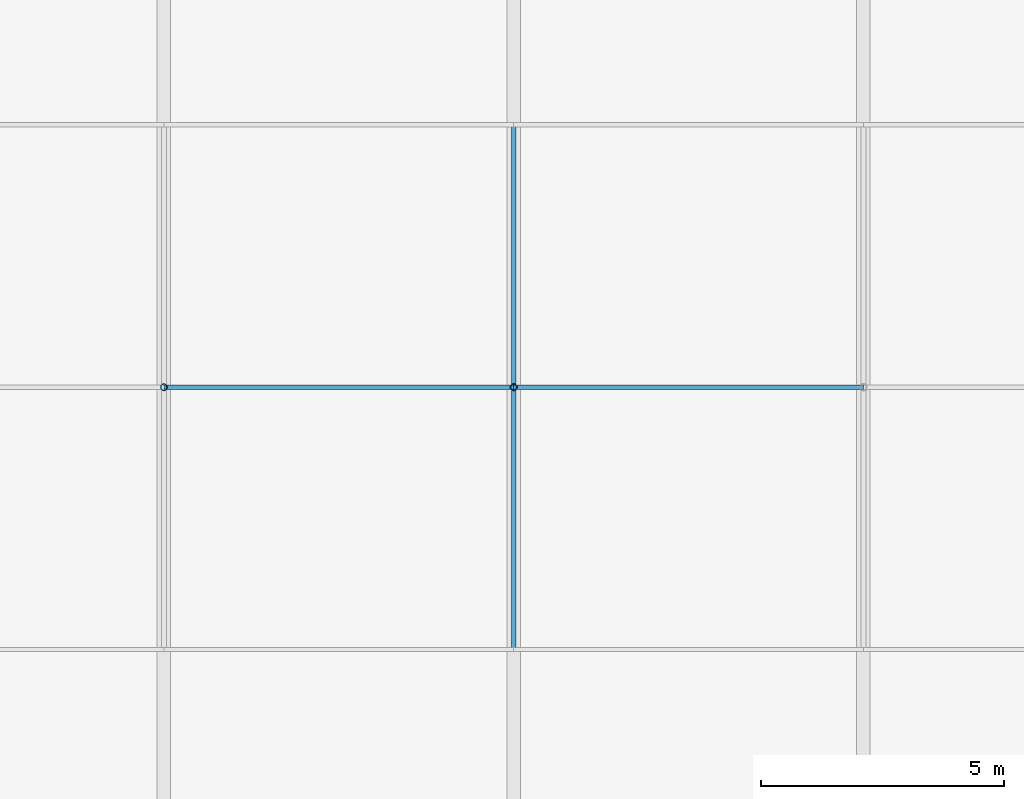
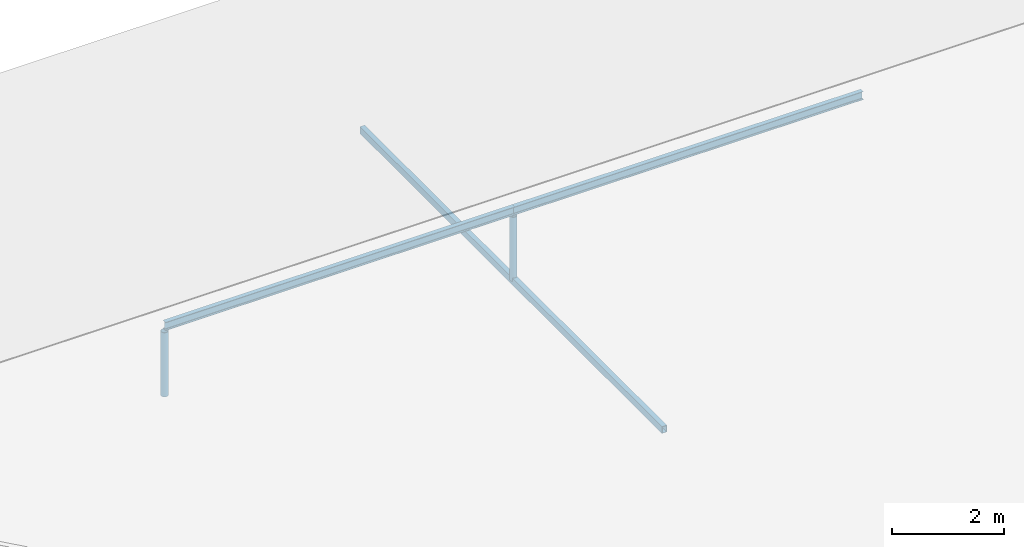
# One storey, part 15 of 124: 5 members.
"""IFC4 building model written with IfcOpenShell, lengths in metres."""

from ifc_helpers import new_model, si_unit, direction, frame, origin, origin_2d, place, context, subcontext, project, spatial, hollow_rectangle, hollow_circle, i_section, extrude, material, material_profile, profile_set, type_object, element, save


model = new_model("IFC4")

# Units and contexts
model_context = context("Model", 3, precision=1e-05, world=origin(), true_north=direction((0.0, 1.0)))
body_context = subcontext(model_context, "Body", "Model", "MODEL_VIEW")
ifc_project = project(units=[si_unit("LENGTHUNIT", "METRE"), si_unit("AREAUNIT", "SQUARE_METRE"), si_unit("VOLUMEUNIT", "CUBIC_METRE"), si_unit("PLANEANGLEUNIT", "RADIAN"), si_unit("MASSUNIT", "GRAM", prefix="KILO"), si_unit("THERMODYNAMICTEMPERATUREUNIT", "KELVIN"), si_unit("POWERUNIT", "WATT")], contexts=[model_context])

# Site, building, storey
site_placement = place(None, origin())
site = spatial("IfcSite", under=ifc_project, at=site_placement, CompositionType="ELEMENT")
building_placement = place(site_placement, origin())
building = spatial("IfcBuilding", under=site, at=building_placement, Name="Tavuni Mirador Residences", CompositionType="ELEMENT")
storey_placement = place(building_placement, frame((0.0, 0.0, 7.64990234375)))
storey = spatial("IfcBuildingStorey", under=building, at=storey_placement, Name="L02", CompositionType="ELEMENT", Elevation=7.64990234375)

# Members
ifc_material = material(Name="Structural steel S355", Category="steel")
ifc_material_profile_1 = material_profile(ifc_material, hollow_circle(Radius=0.06982421875, WallThickness=0.008056640625, at=origin_2d()), Name="CHS 139.7x8.0", Category="steel")
ifc_profile_set_1 = profile_set([ifc_material_profile_1], Name="Structural steel S355")
member_type_1 = type_object("IfcMemberType", Name="MT-BR-CHS139", PredefinedType="BRACE", material=ifc_profile_set_1)
for number, where, z_axis, x_axis, name in (
    (1, (54.0, 18.0, 1.050048828125), (0.0, 0.0, 1.0), (1.0, 0.0, 0.0), "RKP-PAV-SHOP-01"),
    (2, (61.199951171875, 18.0, 1.050048828125), (0.0, 0.0, 1.0), (1.0, 0.0, 0.0), "RKP-PAV-SHOP-02"),
):
    element("IfcMember", number, at=place(storey_placement, frame(where, z_axis=z_axis, x_axis=x_axis)), inside=storey, type_object=member_type_1, Name=name, PredefinedType="BRACE", context=body_context, shape_type="SweptSolid", body=[
        extrude(hollow_circle(Radius=0.06982421875, WallThickness=0.008056640625, at=origin_2d()), origin(), (0.0, 0.0, 1.0), 1.400146484375),
    ])
ifc_material_profile_2 = material_profile(ifc_material, hollow_rectangle(XDim=0.10009765625, YDim=0.14990234375, WallThickness=0.008056640625, at=origin_2d()), Name="RHS 150x100x8.0", Category="steel")
ifc_profile_set_2 = profile_set([ifc_material_profile_2], Name="Structural steel S355")
member_type_2 = type_object("IfcMemberType", Name="MT-BR-RHS150", PredefinedType="BRACE", material=ifc_profile_set_2)
member_placement = place(storey_placement, frame((61.199951171875, 12.60009765625, 1.050048828125), z_axis=(0.0, 1.0, 0.0), x_axis=(-1.0, 0.0, 0.0)))
element("IfcMember", 3, at=member_placement, inside=storey, type_object=member_type_2, Name="RTIE-PAV-SHOP-02", PredefinedType="BRACE", context=body_context, shape_type="SweptSolid", body=[
    extrude(hollow_rectangle(XDim=0.10009765625, YDim=0.14990234375, WallThickness=0.008056640625, at=origin_2d()), origin(), (0.0, 0.0, 1.0), 10.7998046875),
])
ifc_material_profile_3 = material_profile(ifc_material, i_section(OverallWidth=0.091064453125, OverallDepth=0.179931640625, WebThickness=0.00537109375, FlangeThickness=0.008056640625, FilletRadius=0.009033203125, at=origin_2d()), Name="IPE 180", Category="steel")
ifc_profile_set_3 = profile_set([ifc_material_profile_3], Name="Structural steel S355")
member_type_3 = type_object("IfcMemberType", Name="MT-PR-IPE180", PredefinedType="PURLIN", material=ifc_profile_set_3)
for number, where, z_axis, x_axis, name in (
    (4, (54.0, 18.0, 2.565185546875), (1.0, 0.0, 0.0), (0.0, 1.0, 0.0), "RPUR-PAV-SHOP-50-01"),
    (5, (61.199951171875, 18.0, 2.565185546875), (1.0, 0.0, 0.0), (0.0, 1.0, 0.0), "RPUR-PAV-SHOP-50-02"),
):
    element("IfcMember", number, at=place(storey_placement, frame(where, z_axis=z_axis, x_axis=x_axis)), inside=storey, type_object=member_type_3, Name=name, PredefinedType="PURLIN", context=body_context, shape_type="SweptSolid", body=[
        extrude(i_section(OverallWidth=0.091064453125, OverallDepth=0.179931640625, WebThickness=0.00537109375, FlangeThickness=0.008056640625, FilletRadius=0.009033203125, at=origin_2d()), origin(), (0.0, 0.0, 1.0), 7.199951171875),
    ])

save(model, "model.ifc")
